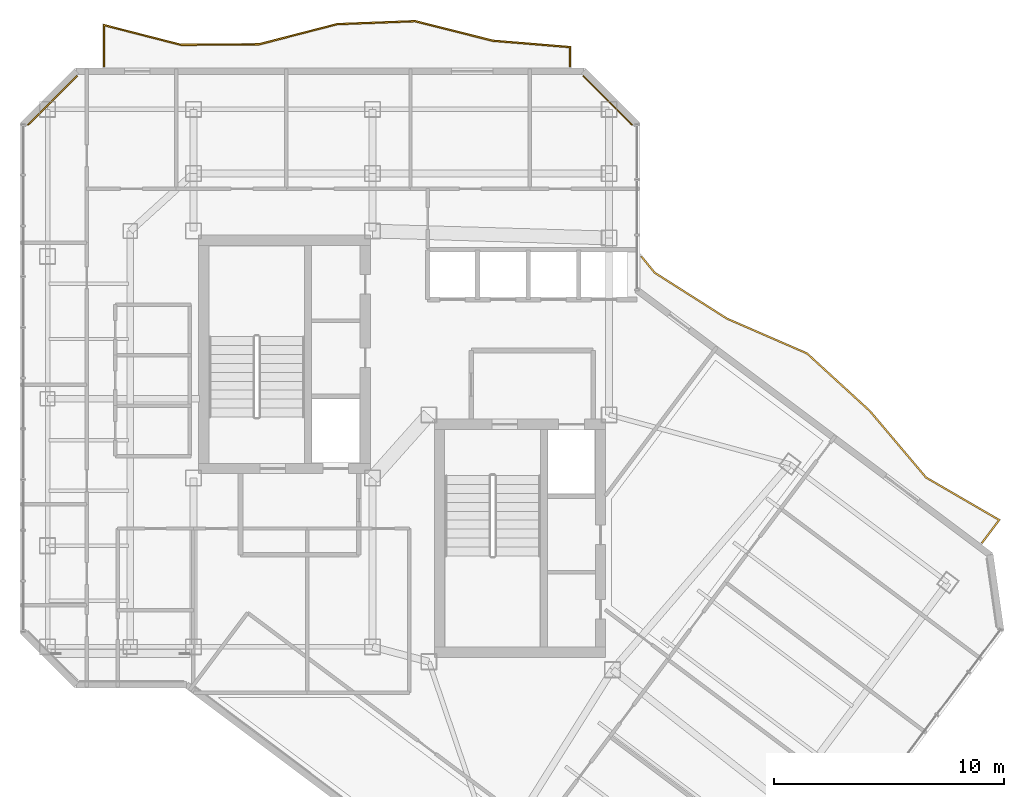
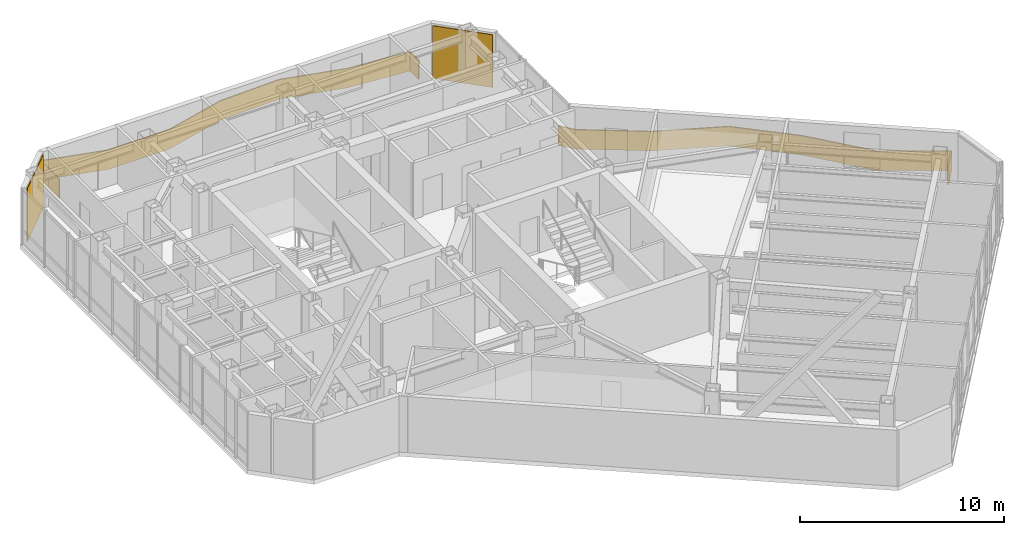
# One storey, part 25 of 25: 2 coverings, 2 railings.
"""IFC4 building model written with IfcOpenShell, lengths in metres."""

from ifc_helpers import new_model, si_unit, direction, frame, origin, origin_2d, place, context, subcontext, project, spatial, polyline, rectangle, outline, extrude, material, layer, layer_set, type_object, element, save


model = new_model("IFC4")

# Units and contexts
model_context = context("Model", 3, precision=1e-05, world=origin(), true_north=direction((0.0, 1.0)))
body_context = subcontext(model_context, "Body", "Model", "MODEL_VIEW")
ifc_project = project(units=[si_unit("LENGTHUNIT", "METRE"), si_unit("AREAUNIT", "SQUARE_METRE"), si_unit("VOLUMEUNIT", "CUBIC_METRE"), si_unit("PLANEANGLEUNIT", "RADIAN"), si_unit("MASSUNIT", "GRAM", prefix="KILO")], contexts=[model_context])

# Site, building, storey
site_placement = place(None, origin())
site = spatial("IfcSite", under=ifc_project, at=site_placement, CompositionType="ELEMENT")
building_placement = place(site_placement, origin())
building = spatial("IfcBuilding", under=site, at=building_placement, Name="Hatsunagi Terrace Concourse", CompositionType="ELEMENT")
storey_placement = place(building_placement, frame((0.0, 0.0, 223.949951171875)))
storey = spatial("IfcBuildingStorey", under=building, at=storey_placement, Name="L59", CompositionType="ELEMENT", Elevation=223.949951171875)

# Railings
ifc_material_1 = material(Name="Laminated Glass and Stainless Steel Guard", Category="steel")
ifc_layer_1 = layer(ifc_material_1, 0.070068359375)
ifc_layer_set_1 = layer_set([ifc_layer_1], Name="BalconyGlassGuardRail_1150")
railing_type = type_object("IfcRailingType", Name="BalconyGlassGuardRail_1150", PredefinedType="BALUSTRADE", material=ifc_layer_set_1)
railing_1_placement = place(storey_placement, origin())
element("IfcRailing", 1, at=railing_1_placement, inside=storey, type_object=railing_type, Name="Engawa Balcony Guard GRD-01 L59-BN-1", PredefinedType="BALUSTRADE", context=body_context, shape_type="SweptSolid", body=[
    extrude(outline(polyline([(21.614990234375, 50.449951171875), (21.68505859375, 50.449951171875), (21.68505859375, 52.222900390625), (24.98974609375, 51.3740234375), (28.41162109375, 51.39697265625), (31.81201171875, 52.274169921875), (35.19140625, 52.40380859375), (38.586181640625, 51.551513671875), (41.9150390625, 51.27783203125), (41.9150390625, 50.449951171875), (41.985107421875, 50.449951171875), (41.985107421875, 51.34228515625), (38.59765625, 51.62060546875), (35.19873046875, 52.47412109375), (31.802001953125, 52.34375), (28.40234375, 51.467041015625), (24.998291015625, 51.444091796875), (21.614990234375, 52.31298828125), (21.614990234375, 50.449951171875)])), origin(), (0.0, 0.0, 1.0), 1.150146484375),
])
railing_2_placement = place(storey_placement, origin())
element("IfcRailing", 2, at=railing_2_placement, inside=storey, type_object=railing_type, Name="Engawa Balcony Guard GRD-01 L59-BSE-1", PredefinedType="BALUSTRADE", context=body_context, shape_type="SweptSolid", body=[
    extrude(outline(polyline([(45.072998046875, 42.22314453125), (45.018798828125, 42.1787109375), (45.609619140625, 41.45849609375), (48.758544921875, 39.45703125), (52.24072265625, 37.944091796875), (54.96875, 35.44677734375), (57.42431640625, 32.540771484375), (60.577392578125, 30.71142578125), (59.842041015625, 29.73095703125), (59.89794921875, 29.68896484375), (60.6806640625, 30.732421875), (57.4697265625, 32.59521484375), (55.019287109375, 35.495361328125), (52.279296875, 38.00390625), (48.79150390625, 39.51904296875), (45.656494140625, 41.511474609375), (45.072998046875, 42.22314453125)])), origin(), (0.0, 0.0, 1.0), 1.150146484375),
])

# Coverings
ifc_material_2 = material(Name="Unglazed Warm Terracotta Rainscreen Tile", Category="masonry")
ifc_layer_2 = layer(ifc_material_2, 0.044921875)
ifc_layer_set_2 = layer_set([ifc_layer_2], Name="TerracottaRainscreenCladding_45")
covering_type = type_object("IfcCoveringType", Name="TerracottaRainscreenCladding_45", PredefinedType="CLADDING", material=ifc_layer_set_2)
for number, where, z_axis, x_axis, name in (
    (3, (19.4140625, 48.986083984375, 0.10009765625), (0.0, 0.0, 1.0), (0.707106781187, 0.707106781187, 0.0), "Terracotta Rainscreen Cladding L59-09"),
    (4, (43.5859375, 48.986083984375, 0.10009765625), (0.0, 0.0, 1.0), (0.707106781187, -0.707106781187, 0.0), "Terracotta Rainscreen Cladding L59-11"),
):
    element("IfcCovering", number, at=place(storey_placement, frame(where, z_axis=z_axis, x_axis=x_axis)), inside=storey, type_object=covering_type, Name=name, PredefinedType="CLADDING", context=body_context, shape_type="SweptSolid", body=[
        extrude(rectangle(XDim=3.0380859375, YDim=0.044921875, at=origin_2d()), origin(), (0.0, 0.0, 1.0), 3.14990234375),
    ])

save(model, "model.ifc")
